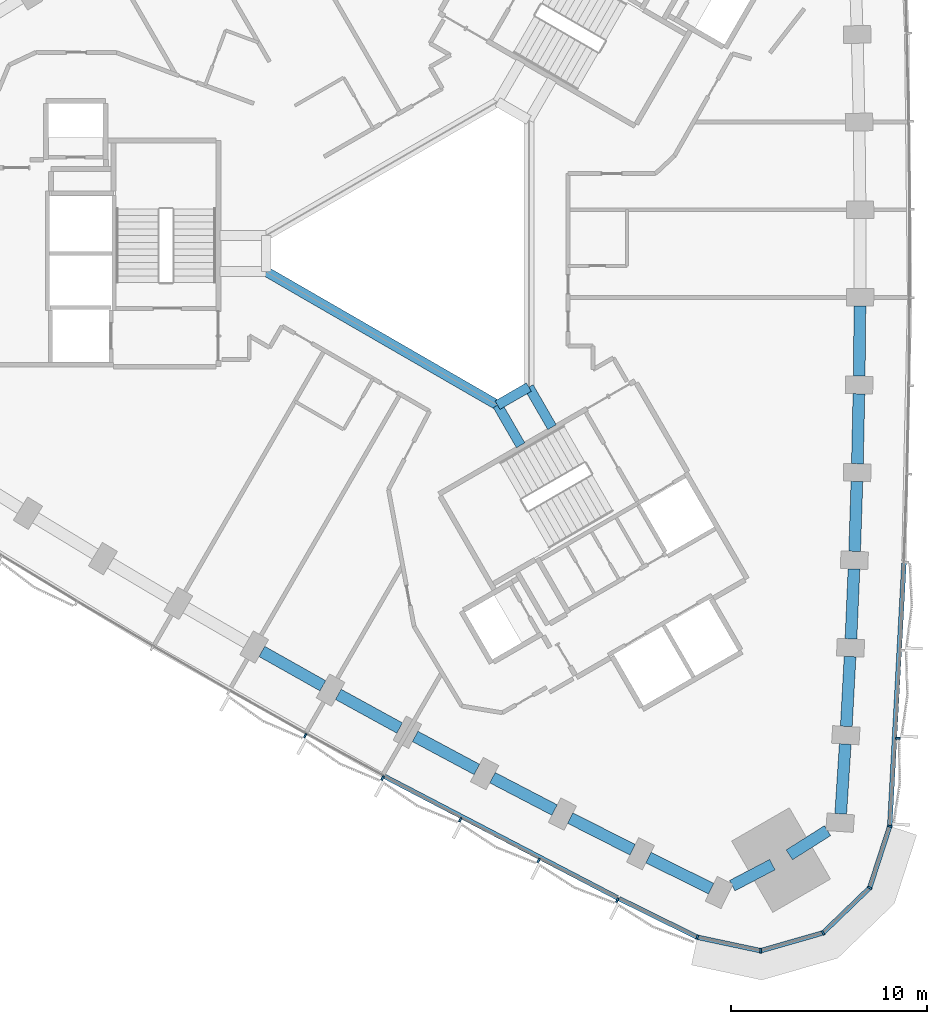
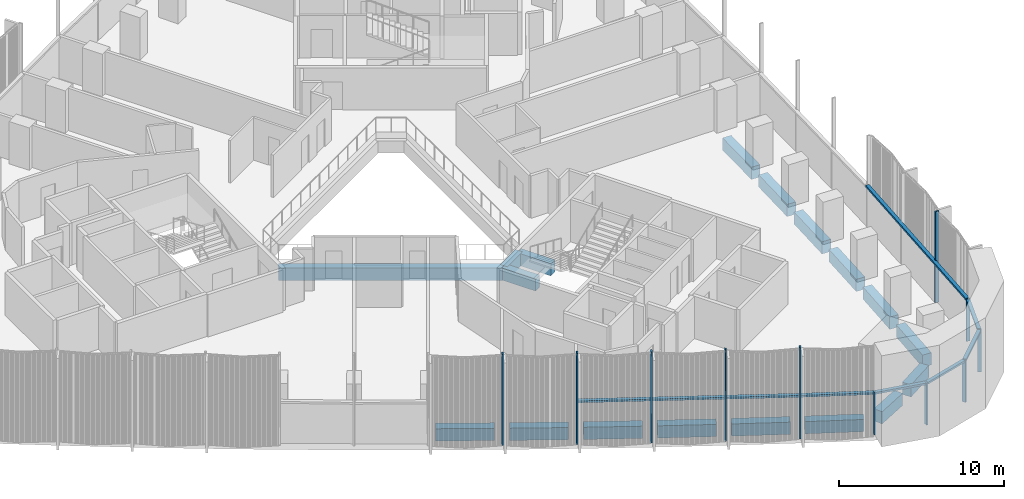
# One storey, part 3 of 16: 18 beams, 18 members, 2 elements without a shape of their own.
"""IFC4 building model written with IfcOpenShell, lengths in metres."""

from ifc_helpers import new_model, si_unit, direction, frame, origin, origin_2d, place, context, subcontext, project, spatial, rectangle, extrude, material, material_profile, profile_set, type_object, element, aggregate, save


model = new_model("IFC4")

# Units and contexts
model_context = context("Model", 3, precision=1e-05, world=origin(), true_north=direction((0.0, 1.0)))
body_context = subcontext(model_context, "Body", "Model", "MODEL_VIEW")
ifc_project = project(units=[si_unit("LENGTHUNIT", "METRE"), si_unit("AREAUNIT", "SQUARE_METRE"), si_unit("VOLUMEUNIT", "CUBIC_METRE"), si_unit("PLANEANGLEUNIT", "RADIAN"), si_unit("MASSUNIT", "GRAM", prefix="KILO")], contexts=[model_context])

# Site, building, storey
site_placement = place(None, origin())
site = spatial("IfcSite", under=ifc_project, at=site_placement, CompositionType="ELEMENT")
building_placement = place(site_placement, origin())
building = spatial("IfcBuilding", under=site, at=building_placement, Name="Tamra Quay Hotel Tower", CompositionType="ELEMENT")
storey_placement = place(building_placement, frame((0.0, 0.0, 56.60009765625)))
storey = spatial("IfcBuildingStorey", under=building, at=storey_placement, Name="L12", CompositionType="ELEMENT", Elevation=56.60009765625)

# Beams
ifc_material_1 = material(Name="Concrete M60", Category="concrete")
ifc_material_profile_1 = material_profile(ifc_material_1, rectangle(XDim=0.5, YDim=0.89990234375, at=origin_2d()), Name="ATRIUM EDGE BEAM RC 500x900")
ifc_profile_set_1 = profile_set([ifc_material_profile_1], Name="Concrete M60")
beam_type_1 = type_object("IfcBeamType", Name="ATRIUM EDGE BEAM RC 500x900", PredefinedType="BEAM", material=ifc_profile_set_1)
beam_1_placement = place(storey_placement, frame((5.0, -6.812744140625, -0.925048828125), z_axis=(-0.86602275259, -0.500004591975, 0.0), x_axis=(0.500004591975, -0.86602275259, 0.0)))
element("IfcBeam", 1, at=beam_1_placement, inside=storey, type_object=beam_type_1, Name="BM-AB1-L12", PredefinedType="BEAM", context=body_context, shape_type="SweptSolid", body=[
    extrude(rectangle(XDim=0.5, YDim=0.89990234375, at=origin_2d()), origin(), (0.0, 0.0, 1.0), 1.84765625),
])
beam_2_placement = place(storey_placement, frame((3.39990234375, -7.736572265625, -0.925048828125), z_axis=(-0.866021471679, 0.500006810544, 0.0), x_axis=(-0.500006810544, -0.866021471679, 0.0)))
element("IfcBeam", 2, at=beam_2_placement, inside=storey, type_object=beam_type_1, Name="BM-AB2-L12", PredefinedType="BEAM", context=body_context, shape_type="SweptSolid", body=[
    extrude(rectangle(XDim=0.5, YDim=0.89990234375, at=origin_2d()), origin(), (0.0, 0.0, 1.0), 13.625244140625),
])
ifc_material_profile_2 = material_profile(ifc_material_1, rectangle(XDim=0.5, YDim=0.89990234375, at=origin_2d()), Name="ATRIUM TIE BEAM RC 500x900")
ifc_profile_set_2 = profile_set([ifc_material_profile_2], Name="Concrete M60")
beam_type_2 = type_object("IfcBeamType", Name="ATRIUM TIE BEAM RC 500x900", PredefinedType="BEAM", material=ifc_profile_set_2)
for number, where, z_axis, x_axis, name in (
    (3, (5.0, -6.812744140625, -0.925048828125), (0.500029618126, -0.866008303076, 0.0), (0.866008303076, 0.500029618126, 0.0), "BM-TIE-1-L12"),
    (4, (3.39990234375, -7.736572265625, -0.925048828125), (0.500029618126, -0.866008303076, 0.0), (0.866008303076, 0.500029618126, 0.0), "BM-TIE-2-L12"),
):
    element("IfcBeam", number, at=place(storey_placement, frame(where, z_axis=z_axis, x_axis=x_axis)), inside=storey, type_object=beam_type_2, Name=name, PredefinedType="BEAM", context=body_context, shape_type="SweptSolid", body=[
        extrude(rectangle(XDim=0.5, YDim=0.89990234375, at=origin_2d()), origin(), (0.0, 0.0, 1.0), 2.362060546875),
    ])

# Curtain wall, members
ifc_material_2 = material(Name="Aluminium 6063 anodised dark grey", Category="aluminium")
curtain_wall_type_1 = type_object("IfcCurtainWallType", Name="CW1 CURTAIN WALL", PredefinedType="NOTDEFINED", material=ifc_material_2)
curtain_wall_1_placement = place(storey_placement, origin())
curtain_wall_1 = element("IfcCurtainWall", 5, at=curtain_wall_1_placement, inside=storey, type_object=curtain_wall_type_1, Name="CW1 east face L12", PredefinedType="NOTDEFINED")
ifc_material_profile_3 = material_profile(ifc_material_2, rectangle(XDim=0.239990234375, YDim=0.10009765625, at=origin_2d()), Name="MULLION 100X240")
ifc_profile_set_3 = profile_set([ifc_material_profile_3], Name="Aluminium 6063 anodised dark grey")
member_type_1 = type_object("IfcMemberType", Name="MULLION CW1 Z1", PredefinedType="MULLION", material=ifc_profile_set_3)
member_1_placement = place(storey_placement, frame((23.40869140625, -29.2109375, 0.0), z_axis=(0.0, 0.0, 1.0), x_axis=(0.982094529733, -0.188388785943, 0.0)))
member_1 = element("IfcMember", 6, at=member_1_placement, type_object=member_type_1, Name="CW1 mullion L12.E.1", PredefinedType="MULLION", context=body_context, shape_type="SweptSolid", body=[
    extrude(rectangle(XDim=0.239990234375, YDim=0.10009765625, at=origin_2d()), origin(), (0.0, 0.0, 1.0), 3.125),
])
member_2_placement = place(storey_placement, frame((23.81982421875, -24.73095703125, 0.0), z_axis=(0.0, 0.0, 1.0), x_axis=(0.998231971154, -0.05943847042, 0.0)))
member_2 = element("IfcMember", 7, at=member_2_placement, type_object=member_type_1, Name="CW1 mullion L12.E.2", PredefinedType="MULLION", context=body_context, shape_type="SweptSolid", body=[
    extrude(rectangle(XDim=0.239990234375, YDim=0.10009765625, at=origin_2d()), origin(), (0.0, 0.0, 1.0), 6.724853515625),
])

curtain_wall_type_2 = type_object("IfcCurtainWallType", Name="CW3 CURTAIN WALL", PredefinedType="NOTDEFINED", material=ifc_material_2)
curtain_wall_2_placement = place(storey_placement, origin())
curtain_wall_2 = element("IfcCurtainWall", 8, at=curtain_wall_2_placement, inside=storey, type_object=curtain_wall_type_2, Name="CW3 south-west face L12", PredefinedType="NOTDEFINED")
ifc_material_profile_4 = material_profile(ifc_material_2, rectangle(XDim=0.239990234375, YDim=0.10009765625, at=origin_2d()), Name="MULLION 100X240")
ifc_profile_set_4 = profile_set([ifc_material_profile_4], Name="Aluminium 6063 anodised dark grey")
member_type_2 = type_object("IfcMemberType", Name="MULLION CW3 Z1", PredefinedType="MULLION", material=ifc_profile_set_4)
member_3_placement = place(storey_placement, frame((-6.406982421875, -24.592529296875, 0.0), z_axis=(0.0, 0.0, 1.0), x_axis=(-0.485863802361, -0.874034533388, 0.0)))
member_3 = element("IfcMember", 9, at=member_3_placement, type_object=member_type_2, Name="CW3 mullion L12.SW.9", PredefinedType="MULLION", context=body_context, shape_type="SweptSolid", body=[
    extrude(rectangle(XDim=0.239990234375, YDim=0.10009765625, at=origin_2d()), origin(), (0.0, 0.0, 1.0), 6.724853515625),
])
member_4_placement = place(storey_placement, frame((-2.4619140625, -26.7578125, 0.0), z_axis=(0.0, 0.0, 1.0), x_axis=(-0.476376526936, -0.87924138016, 0.0)))
member_4 = element("IfcMember", 10, at=member_4_placement, type_object=member_type_2, Name="CW3 mullion L12.SW.10", PredefinedType="MULLION", context=body_context, shape_type="SweptSolid", body=[
    extrude(rectangle(XDim=0.239990234375, YDim=0.10009765625, at=origin_2d()), origin(), (0.0, 0.0, 1.0), 6.724853515625),
])
member_5_placement = place(storey_placement, frame((1.5048828125, -28.87939453125, 0.0), z_axis=(0.0, 0.0, 1.0), x_axis=(-0.466835499362, -0.884344173122, 0.0)))
member_5 = element("IfcMember", 11, at=member_5_placement, type_object=member_type_2, Name="CW3 mullion L12.SW.11", PredefinedType="MULLION", context=body_context, shape_type="SweptSolid", body=[
    extrude(rectangle(XDim=0.239990234375, YDim=0.10009765625, at=origin_2d()), origin(), (0.0, 0.0, 1.0), 6.724853515625),
])
member_6_placement = place(storey_placement, frame((5.49462890625, -30.9580078125, 0.0), z_axis=(0.0, 0.0, 1.0), x_axis=(-0.457253994303, -0.889336148312, 0.0)))
member_6 = element("IfcMember", 12, at=member_6_placement, type_object=member_type_2, Name="CW3 mullion L12.SW.12", PredefinedType="MULLION", context=body_context, shape_type="SweptSolid", body=[
    extrude(rectangle(XDim=0.239990234375, YDim=0.10009765625, at=origin_2d()), origin(), (0.0, 0.0, 1.0), 6.724853515625),
])
member_7_placement = place(storey_placement, frame((9.5078125, -32.994140625, 0.0), z_axis=(0.0, 0.0, 1.0), x_axis=(-0.447640760231, -0.894213481099, 0.0)))
member_7 = element("IfcMember", 13, at=member_7_placement, type_object=member_type_2, Name="CW3 mullion L12.SW.13", PredefinedType="MULLION", context=body_context, shape_type="SweptSolid", body=[
    extrude(rectangle(XDim=0.239990234375, YDim=0.10009765625, at=origin_2d()), origin(), (0.0, 0.0, 1.0), 6.724853515625),
])
member_8_placement = place(storey_placement, frame((13.593017578125, -34.8779296875, 0.0), z_axis=(0.0, 0.0, 1.0), x_axis=(-0.327897790452, -0.944713204638, 0.0)))
member_8 = element("IfcMember", 14, at=member_8_placement, type_object=member_type_2, Name="CW3 mullion L12.SW.14", PredefinedType="MULLION", context=body_context, shape_type="SweptSolid", body=[
    extrude(rectangle(XDim=0.239990234375, YDim=0.10009765625, at=origin_2d()), origin(), (0.0, 0.0, 1.0), 3.125),
])
member_9_placement = place(storey_placement, frame((16.828125, -35.5654296875, 0.0), z_axis=(0.0, 0.0, 1.0), x_axis=(0.034915999879, -0.999390250579, 0.0)))
member_9 = element("IfcMember", 15, at=member_9_placement, type_object=member_type_2, Name="CW3 mullion L12.SW.15", PredefinedType="MULLION", context=body_context, shape_type="SweptSolid", body=[
    extrude(rectangle(XDim=0.239990234375, YDim=0.10009765625, at=origin_2d()), origin(), (0.0, 0.0, 1.0), 3.125),
])
member_10_placement = place(storey_placement, frame((20.00732421875, -34.65380859375, 0.0), z_axis=(0.0, 0.0, 1.0), x_axis=(0.5, -0.866025403784, 0.0)))
member_10 = element("IfcMember", 16, at=member_10_placement, type_object=member_type_2, Name="CW3 mullion L12.SW.16", PredefinedType="MULLION", context=body_context, shape_type="SweptSolid", body=[
    extrude(rectangle(XDim=0.239990234375, YDim=0.10009765625, at=origin_2d()), origin(), (0.0, 0.0, 1.0), 3.125),
])
member_11_placement = place(storey_placement, frame((22.386474609375, -32.356201171875, 0.0), z_axis=(0.0, 0.0, 1.0), x_axis=(0.848039345356, -0.529933268183, 0.0)))
member_11 = element("IfcMember", 17, at=member_11_placement, type_object=member_type_2, Name="CW3 mullion L12.SW.17", PredefinedType="MULLION", context=body_context, shape_type="SweptSolid", body=[
    extrude(rectangle(XDim=0.239990234375, YDim=0.10009765625, at=origin_2d()), origin(), (0.0, 0.0, 1.0), 3.125),
])

# Beams
ifc_material_profile_5 = material_profile(ifc_material_1, rectangle(XDim=0.60009765625, YDim=0.89990234375, at=origin_2d()), Name="SPANDREL BEAM RC 600x900")
ifc_profile_set_5 = profile_set([ifc_material_profile_5], Name="Concrete M60")
beam_type_3 = type_object("IfcBeamType", Name="SPANDREL BEAM RC 600x900", PredefinedType="SPANDREL", material=ifc_profile_set_5)
beam_3_placement = place(storey_placement, frame((20.908203125, -28.584716796875, -0.925048828125), z_axis=(0.064749077985, 0.99790157676, 0.0), x_axis=(-0.99790157676, 0.064749077985, 0.0)))
element("IfcBeam", 18, at=beam_3_placement, inside=storey, type_object=beam_type_3, Name="BM-SP1-000-L12", PredefinedType="SPANDREL", context=body_context, shape_type="SweptSolid", body=[
    extrude(rectangle(XDim=0.60009765625, YDim=0.89990234375, at=origin_2d()), origin(), (0.0, 0.0, 1.0), 3.57080078125),
])
beam_4_placement = place(storey_placement, frame((21.193115234375, -24.123046875, -0.925048828125), z_axis=(0.054026860576, 0.998539482613, 0.0), x_axis=(-0.998539482613, 0.054026860576, 0.0)))
element("IfcBeam", 19, at=beam_4_placement, inside=storey, type_object=beam_type_3, Name="BM-SP1-001-L12", PredefinedType="SPANDREL", context=body_context, shape_type="SweptSolid", body=[
    extrude(rectangle(XDim=0.60009765625, YDim=0.89990234375, at=origin_2d()), origin(), (0.0, 0.0, 1.0), 3.56982421875),
])
for number, where, z_axis, x_axis, name in (
    (20, (21.429931640625, -19.659423828125, -0.925048828125), (0.043282922957, 0.99906285517, 0.0), (-0.99906285517, 0.043282922957, 0.0), "BM-SP1-002-L12"),
    (21, (21.618408203125, -15.19287109375, -0.925048828125), (0.032547568535, 0.999470187541, 0.0), (-0.999470187541, 0.032547568535, 0.0), "BM-SP1-003-L12"),
):
    element("IfcBeam", number, at=place(storey_placement, frame(where, z_axis=z_axis, x_axis=x_axis)), inside=storey, type_object=beam_type_3, Name=name, PredefinedType="SPANDREL", context=body_context, shape_type="SweptSolid", body=[
        extrude(rectangle(XDim=0.60009765625, YDim=0.89990234375, at=origin_2d()), origin(), (0.0, 0.0, 1.0), 3.570556640625),
    ])
beam_5_placement = place(storey_placement, frame((21.7587890625, -10.724609375, -0.925048828125), z_axis=(0.021679013576, 0.999764982569, 0.0), x_axis=(-0.999764982569, 0.021679013576, 0.0)))
element("IfcBeam", 22, at=beam_5_placement, inside=storey, type_object=beam_type_3, Name="BM-SP1-004-L12", PredefinedType="SPANDREL", context=body_context, shape_type="SweptSolid", body=[
    extrude(rectangle(XDim=0.60009765625, YDim=0.89990234375, at=origin_2d()), origin(), (0.0, 0.0, 1.0), 3.56982421875),
])
for number, where, z_axis, x_axis, name in (
    (23, (21.850830078125, -6.255615234375, -0.925048828125), (0.010803527021, 0.999941640199, 0.0), (-0.999941640199, 0.010803527021, 0.0), "BM-SP1-005-L12"),
    (24, (-8.619384765625, -20.299560546875, -0.925048828125), (0.871431243693, -0.49051767299, 0.0), (0.49051767299, 0.871431243693, 0.0), "BM-SP1-037-L12"),
):
    element("IfcBeam", number, at=place(storey_placement, frame(where, z_axis=z_axis, x_axis=x_axis)), inside=storey, type_object=beam_type_3, Name=name, PredefinedType="SPANDREL", context=body_context, shape_type="SweptSolid", body=[
        extrude(rectangle(XDim=0.60009765625, YDim=0.89990234375, at=origin_2d()), origin(), (0.0, 0.0, 1.0), 3.570556640625),
    ])
beam_6_placement = place(storey_placement, frame((-4.72119140625, -22.48828125, -0.925048828125), z_axis=(0.876617015828, -0.481188744216, 0.0), x_axis=(0.481188744216, 0.876617015828, 0.0)))
element("IfcBeam", 25, at=beam_6_placement, inside=storey, type_object=beam_type_3, Name="BM-SP1-038-L12", PredefinedType="SPANDREL", context=body_context, shape_type="SweptSolid", body=[
    extrude(rectangle(XDim=0.60009765625, YDim=0.89990234375, at=origin_2d()), origin(), (0.0, 0.0, 1.0), 3.56982421875),
])
beam_7_placement = place(storey_placement, frame((-0.80029296875, -24.634765625, -0.925048828125), z_axis=(0.881809110934, -0.471606501094, 0.0), x_axis=(0.471606501094, 0.881809110934, 0.0)))
element("IfcBeam", 26, at=beam_7_placement, inside=storey, type_object=beam_type_3, Name="BM-SP1-039-L12", PredefinedType="SPANDREL", context=body_context, shape_type="SweptSolid", body=[
    extrude(rectangle(XDim=0.60009765625, YDim=0.89990234375, at=origin_2d()), origin(), (0.0, 0.0, 1.0), 3.5703125),
])
beam_8_placement = place(storey_placement, frame((3.14404296875, -26.73876953125, -0.925048828125), z_axis=(0.886863886749, -0.462030785101, 0.0), x_axis=(0.462030785101, 0.886863886749, 0.0)))
element("IfcBeam", 27, at=beam_8_placement, inside=storey, type_object=beam_type_3, Name="BM-SP1-040-L12", PredefinedType="SPANDREL", context=body_context, shape_type="SweptSolid", body=[
    extrude(rectangle(XDim=0.60009765625, YDim=0.89990234375, at=origin_2d()), origin(), (0.0, 0.0, 1.0), 3.570556640625),
])
beam_9_placement = place(storey_placement, frame((7.111083984375, -28.800048828125, -0.925048828125), z_axis=(0.891785652583, -0.452458119439, 0.0), x_axis=(0.452458119439, 0.891785652583, 0.0)))
element("IfcBeam", 28, at=beam_9_placement, inside=storey, type_object=beam_type_3, Name="BM-SP1-041-L12", PredefinedType="SPANDREL", context=body_context, shape_type="SweptSolid", body=[
    extrude(rectangle(XDim=0.60009765625, YDim=0.89990234375, at=origin_2d()), origin(), (0.0, 0.0, 1.0), 3.56982421875),
])
beam_10_placement = place(storey_placement, frame((11.099365234375, -30.818115234375, -0.925048828125), z_axis=(0.896604328032, -0.442832563113, 0.0), x_axis=(0.442832563113, 0.896604328032, 0.0)))
element("IfcBeam", 29, at=beam_10_placement, inside=storey, type_object=beam_type_3, Name="BM-SP1-042-L12", PredefinedType="SPANDREL", context=body_context, shape_type="SweptSolid", body=[
    extrude(rectangle(XDim=0.60009765625, YDim=0.89990234375, at=origin_2d()), origin(), (0.0, 0.0, 1.0), 3.57080078125),
])
beam_11_placement = place(storey_placement, frame((15.377197265625, -32.24609375, -0.925048828125), z_axis=(0.885674154565, 0.464307324879, 0.0), x_axis=(-0.464307324879, 0.885674154565, 0.0)))
element("IfcBeam", 30, at=beam_11_placement, inside=storey, type_object=beam_type_3, Name="BM-SP1-043-L12", PredefinedType="SPANDREL", context=body_context, shape_type="SweptSolid", body=[
    extrude(rectangle(XDim=0.60009765625, YDim=0.89990234375, at=origin_2d()), origin(), (0.0, 0.0, 1.0), 2.308349609375),
])
beam_12_placement = place(storey_placement, frame((18.28662109375, -30.6748046875, -0.925048828125), z_axis=(0.844978382684, 0.53480046073, 0.0), x_axis=(-0.53480046073, 0.844978382684, 0.0)))
element("IfcBeam", 31, at=beam_12_placement, inside=storey, type_object=beam_type_3, Name="BM-SP1-044-L12", PredefinedType="SPANDREL", context=body_context, shape_type="SweptSolid", body=[
    extrude(rectangle(XDim=0.60009765625, YDim=0.89990234375, at=origin_2d()), origin(), (0.0, 0.0, 1.0), 2.30859375),
])

# Member
ifc_material_profile_6 = material_profile(ifc_material_2, rectangle(XDim=0.239990234375, YDim=0.139892578125, at=origin_2d()), Name="TRANSOM 240X140")
ifc_profile_set_6 = profile_set([ifc_material_profile_6], Name="Aluminium 6063 anodised dark grey")
member_type_3 = type_object("IfcMemberType", Name="TRANSOM CW1 Z1", PredefinedType="USERDEFINED", material=ifc_profile_set_6)
member_12_placement = place(storey_placement, frame((23.411865234375, -29.160888671875, 3.054931640625), z_axis=(0.054052387444, 0.998538101132, 0.0), x_axis=(-0.998538101132, 0.054052387444, 0.0)))
member_12 = element("IfcMember", 32, at=member_12_placement, type_object=member_type_3, Name="CW1 transom L12.E.1", ObjectType="TRANSOM", PredefinedType="USERDEFINED", context=body_context, shape_type="SweptSolid", body=[
    extrude(rectangle(XDim=0.239990234375, YDim=0.139892578125, at=origin_2d()), origin(), (0.0, 0.0, 1.0), 13.39208984375),
])

aggregate(curtain_wall_1, [member_1, member_12, member_2])

ifc_material_profile_7 = material_profile(ifc_material_2, rectangle(XDim=0.239990234375, YDim=0.139892578125, at=origin_2d()), Name="TRANSOM 240X140")
ifc_profile_set_7 = profile_set([ifc_material_profile_7], Name="Aluminium 6063 anodised dark grey")
member_type_4 = type_object("IfcMemberType", Name="TRANSOM CW3 Z1", PredefinedType="USERDEFINED", material=ifc_profile_set_7)
member_13_placement = place(storey_placement, frame((-2.360595703125, -26.67578125, 3.054931640625), z_axis=(0.886850905356, -0.462055701913, 0.0), x_axis=(0.462055701913, 0.886850905356, 0.0)))
member_13 = element("IfcMember", 33, at=member_13_placement, type_object=member_type_4, Name="CW3 transom L12.SW.10", ObjectType="TRANSOM", PredefinedType="USERDEFINED", context=body_context, shape_type="SweptSolid", body=[
    extrude(rectangle(XDim=0.239990234375, YDim=0.139892578125, at=origin_2d()), origin(), (0.0, 0.0, 1.0), 13.392822265625),
])

member_14_placement = place(storey_placement, frame((9.606201171875, -32.908935546875, 3.054931640625), z_axis=(0.89661543445, -0.442810075208, 0.0), x_axis=(0.442810075208, 0.89661543445, 0.0)))
member_14 = element("IfcMember", 34, at=member_14_placement, type_object=member_type_4, Name="CW3 transom L12.SW.13", ObjectType="TRANSOM", PredefinedType="USERDEFINED", context=body_context, shape_type="SweptSolid", body=[
    extrude(rectangle(XDim=0.239990234375, YDim=0.139892578125, at=origin_2d()), origin(), (0.0, 0.0, 1.0), 4.396484375),
])

member_15_placement = place(storey_placement, frame((13.641845703125, -34.88818359375, 3.054931640625), z_axis=(0.978156336052, -0.20787059013, 0.0), x_axis=(0.20787059013, 0.978156336052, 0.0)))
member_15 = element("IfcMember", 35, at=member_15_placement, type_object=member_type_4, Name="CW3 transom L12.SW.14", ObjectType="TRANSOM", PredefinedType="USERDEFINED", context=body_context, shape_type="SweptSolid", body=[
    extrude(rectangle(XDim=0.239990234375, YDim=0.139892578125, at=origin_2d()), origin(), (0.0, 0.0, 1.0), 3.20751953125),
])

member_16_placement = place(storey_placement, frame((16.876220703125, -35.551513671875, 3.054931640625), z_axis=(0.961262114071, 0.275635897612, 0.0), x_axis=(-0.275635897612, 0.961262114071, 0.0)))
member_16 = element("IfcMember", 36, at=member_16_placement, type_object=member_type_4, Name="CW3 transom L12.SW.15", ObjectType="TRANSOM", PredefinedType="USERDEFINED", context=body_context, shape_type="SweptSolid", body=[
    extrude(rectangle(XDim=0.239990234375, YDim=0.139892578125, at=origin_2d()), origin(), (0.0, 0.0, 1.0), 3.207275390625),
])

member_17_placement = place(storey_placement, frame((20.043212890625, -34.618896484375, 3.054931640625), z_axis=(0.719405395398, 0.694590438367, 0.0), x_axis=(-0.694590438367, 0.719405395398, 0.0)))
member_17 = element("IfcMember", 37, at=member_17_placement, type_object=member_type_4, Name="CW3 transom L12.SW.16", ObjectType="TRANSOM", PredefinedType="USERDEFINED", context=body_context, shape_type="SweptSolid", body=[
    extrude(rectangle(XDim=0.239990234375, YDim=0.139892578125, at=origin_2d()), origin(), (0.0, 0.0, 1.0), 3.207275390625),
])

member_18_placement = place(storey_placement, frame((22.40185546875, -32.308837890625, 3.054931640625), z_axis=(0.309025833938, 0.951053644102, 0.0), x_axis=(-0.951053644102, 0.309025833938, 0.0)))
member_18 = element("IfcMember", 38, at=member_18_placement, type_object=member_type_4, Name="CW3 transom L12.SW.17", ObjectType="TRANSOM", PredefinedType="USERDEFINED", context=body_context, shape_type="SweptSolid", body=[
    extrude(rectangle(XDim=0.239990234375, YDim=0.139892578125, at=origin_2d()), origin(), (0.0, 0.0, 1.0), 3.20751953125),
])

aggregate(curtain_wall_2, [member_3, member_4, member_13, member_5, member_6, member_7, member_14, member_8, member_15, member_9, member_16, member_10, member_17, member_11, member_18])

save(model, "model.ifc")
